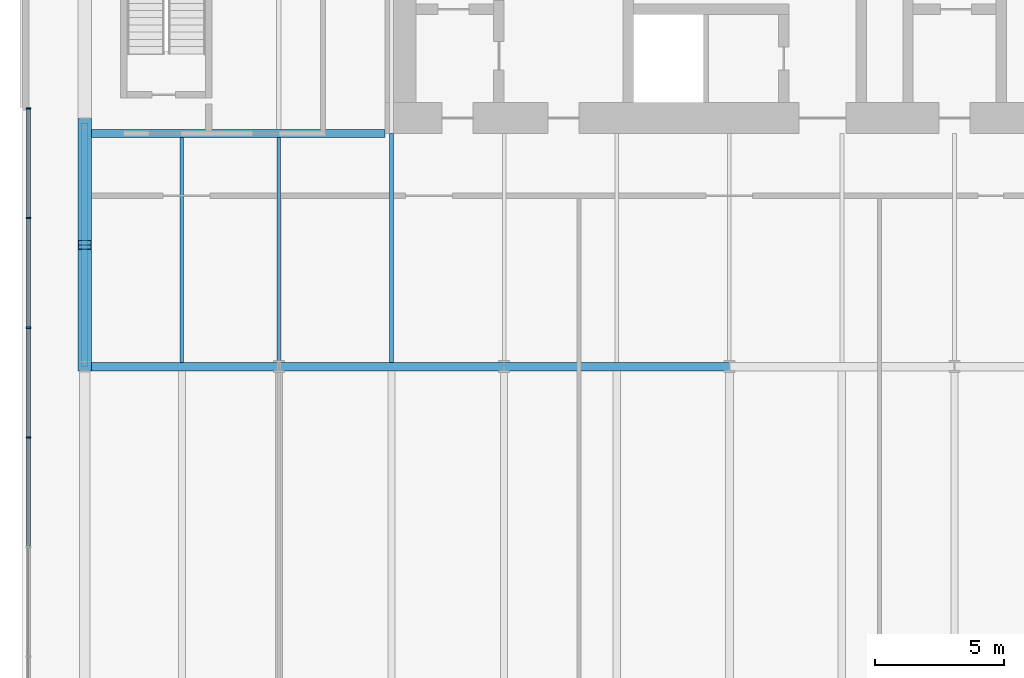
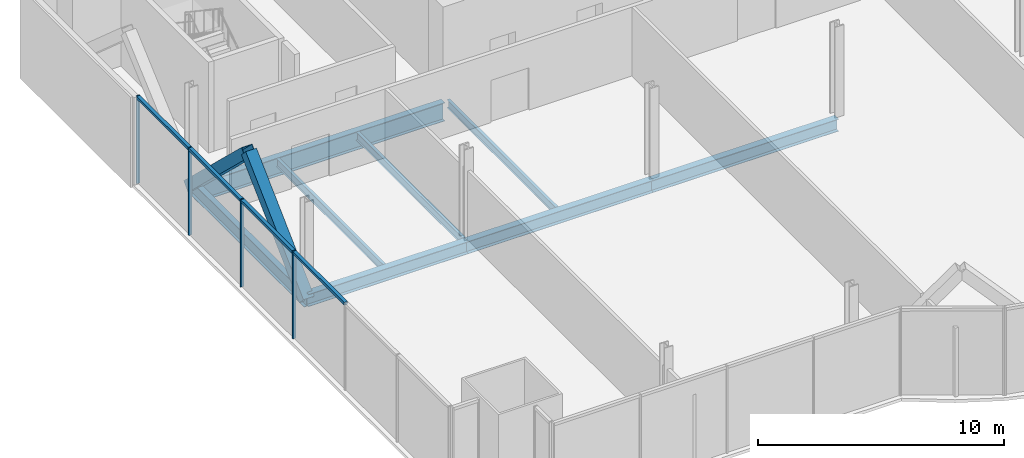
# One storey, part 6 of 21: 10 members, 8 beams, 1 element without a shape of its own.
"""IFC4 building model written with IfcOpenShell, lengths in metres."""

from ifc_helpers import new_model, si_unit, direction, frame, origin, origin_2d, place, context, subcontext, project, spatial, rectangle, hollow_rectangle, i_section, extrude, material, material_profile, profile_set, type_object, element, aggregate, save


model = new_model("IFC4")

# Units and contexts
model_context = context("Model", 3, precision=1e-05, world=origin(), true_north=direction((0.0, 1.0)))
body_context = subcontext(model_context, "Body", "Model", "MODEL_VIEW")
ifc_project = project(units=[si_unit("LENGTHUNIT", "METRE"), si_unit("AREAUNIT", "SQUARE_METRE"), si_unit("VOLUMEUNIT", "CUBIC_METRE"), si_unit("PLANEANGLEUNIT", "RADIAN"), si_unit("MASSUNIT", "GRAM", prefix="KILO")], contexts=[model_context])

# Site, building, storey
site_placement = place(None, origin())
site = spatial("IfcSite", under=ifc_project, at=site_placement, CompositionType="ELEMENT")
building_placement = place(site_placement, origin())
building = spatial("IfcBuilding", under=site, at=building_placement, Name="Bicima Exchange Tower", CompositionType="ELEMENT")
storey_placement = place(building_placement, frame((0.0, 0.0, 57.5)))
storey = spatial("IfcBuildingStorey", under=building, at=storey_placement, Name="L11", CompositionType="ELEMENT", Elevation=57.5)

# Beam
ifc_material_1 = material(Name="Steel ASTM A992 Gr 50", Category="steel")
ifc_material_profile_1 = material_profile(ifc_material_1, i_section(OverallWidth=0.3046875, OverallDepth=0.911865234375, WebThickness=0.015869140625, FlangeThickness=0.02392578125, at=origin_2d()))
ifc_profile_set_1 = profile_set([ifc_material_profile_1], Name="Steel ASTM A992 Gr 50")
beam_type_1 = type_object("IfcBeamType", Name="Core-line girder W36x150", PredefinedType="BEAM", material=ifc_profile_set_1)
beam_1_placement = place(storey_placement, frame((-22.0, -13.0, -0.60595703125), z_axis=(-1.0, 0.0, 0.0), x_axis=(0.0, -1.0, 0.0)))
element("IfcBeam", 1, at=beam_1_placement, inside=storey, type_object=beam_type_1, Name="Core-line girder", PredefinedType="BEAM", context=body_context, shape_type="SweptSolid", body=[
    extrude(i_section(OverallWidth=0.3046875, OverallDepth=0.911865234375, WebThickness=0.015869140625, FlangeThickness=0.02392578125, at=origin_2d()), origin(), (0.0, 0.0, 1.0), 11.60009765625),
])

# Curtain wall, members
ifc_material_2 = material(Name="Anodised bronze aluminium", Category="aluminium")
curtain_wall_type = type_object("IfcCurtainWallType", Name="End face glass wall", PredefinedType="NOTDEFINED", material=ifc_material_2)
curtain_wall_placement = place(storey_placement, origin())
curtain_wall = element("IfcCurtainWall", 2, at=curtain_wall_placement, inside=storey, type_object=curtain_wall_type, Name="End face glass wall L11 run 2", PredefinedType="NOTDEFINED")
ifc_material_profile_2 = material_profile(ifc_material_2, rectangle(XDim=0.159912109375, YDim=0.06005859375, at=origin_2d()))
ifc_profile_set_2 = profile_set([ifc_material_profile_2], Name="Anodised bronze aluminium")
member_type_1 = type_object("IfcMemberType", Name="End face glass wall mullion 60 x 160", PredefinedType="MULLION", material=ifc_profile_set_2)
member_1_placement = place(storey_placement, frame((-35.77001953125, -12.030029296875, 0.0), z_axis=(0.0, 0.0, 1.0), x_axis=(1.0, 0.0, 0.0)))
member_1 = element("IfcMember", 3, at=member_1_placement, type_object=member_type_1, Name="End face glass wall mullion 1", PredefinedType="MULLION", context=body_context, shape_type="SweptSolid", body=[
    extrude(rectangle(XDim=0.159912109375, YDim=0.06005859375, at=origin_2d()), origin(), (0.0, 0.0, 1.0), 4.35009765625),
])
member_2_placement = place(storey_placement, frame((-35.77001953125, -16.264892578125, 0.0), z_axis=(0.0, 0.0, 1.0), x_axis=(1.0, 0.0, 0.0)))
member_2 = element("IfcMember", 4, at=member_2_placement, type_object=member_type_1, Name="End face glass wall mullion 2", PredefinedType="MULLION", context=body_context, shape_type="SweptSolid", body=[
    extrude(rectangle(XDim=0.159912109375, YDim=0.06005859375, at=origin_2d()), origin(), (0.0, 0.0, 1.0), 4.35009765625),
])
member_3_placement = place(storey_placement, frame((-35.77001953125, -20.5, 0.0), z_axis=(0.0, 0.0, 1.0), x_axis=(1.0, 0.0, 0.0)))
member_3 = element("IfcMember", 5, at=member_3_placement, type_object=member_type_1, Name="End face glass wall mullion 3", PredefinedType="MULLION", context=body_context, shape_type="SweptSolid", body=[
    extrude(rectangle(XDim=0.159912109375, YDim=0.06005859375, at=origin_2d()), origin(), (0.0, 0.0, 1.0), 4.35009765625),
])
member_4_placement = place(storey_placement, frame((-35.77001953125, -24.735107421875, 0.0), z_axis=(0.0, 0.0, 1.0), x_axis=(1.0, 0.0, 0.0)))
member_4 = element("IfcMember", 6, at=member_4_placement, type_object=member_type_1, Name="End face glass wall mullion 4", PredefinedType="MULLION", context=body_context, shape_type="SweptSolid", body=[
    extrude(rectangle(XDim=0.159912109375, YDim=0.06005859375, at=origin_2d()), origin(), (0.0, 0.0, 1.0), 4.35009765625),
])
ifc_material_profile_3 = material_profile(ifc_material_2, rectangle(XDim=0.159912109375, YDim=0.139892578125, at=origin_2d()))
ifc_profile_set_3 = profile_set([ifc_material_profile_3], Name="Anodised bronze aluminium")
member_type_2 = type_object("IfcMemberType", Name="End face glass wall transom 140 x 160", PredefinedType="USERDEFINED", material=ifc_profile_set_3)
member_5_placement = place(storey_placement, frame((-35.77001953125, -12.06005859375, 4.280029296875), z_axis=(0.0, -1.0, 0.0), x_axis=(1.0, 0.0, 0.0)))
member_5 = element("IfcMember", 7, at=member_5_placement, type_object=member_type_2, Name="End face glass wall transom 1.1", ObjectType="TRANSOM", PredefinedType="USERDEFINED", context=body_context, shape_type="SweptSolid", body=[
    extrude(rectangle(XDim=0.159912109375, YDim=0.139892578125, at=origin_2d()), origin(), (0.0, 0.0, 1.0), 4.175048828125),
])
member_6_placement = place(storey_placement, frame((-35.77001953125, -16.294921875, 4.280029296875), z_axis=(0.0, -1.0, 0.0), x_axis=(1.0, 0.0, 0.0)))
member_6 = element("IfcMember", 8, at=member_6_placement, type_object=member_type_2, Name="End face glass wall transom 2.1", ObjectType="TRANSOM", PredefinedType="USERDEFINED", context=body_context, shape_type="SweptSolid", body=[
    extrude(rectangle(XDim=0.159912109375, YDim=0.139892578125, at=origin_2d()), origin(), (0.0, 0.0, 1.0), 4.175048828125),
])
member_7_placement = place(storey_placement, frame((-35.77001953125, -20.530029296875, 4.280029296875), z_axis=(0.0, -1.0, 0.0), x_axis=(1.0, 0.0, 0.0)))
member_7 = element("IfcMember", 9, at=member_7_placement, type_object=member_type_2, Name="End face glass wall transom 3.1", ObjectType="TRANSOM", PredefinedType="USERDEFINED", context=body_context, shape_type="SweptSolid", body=[
    extrude(rectangle(XDim=0.159912109375, YDim=0.139892578125, at=origin_2d()), origin(), (0.0, 0.0, 1.0), 4.175048828125),
])
member_8_placement = place(storey_placement, frame((-35.77001953125, -24.764892578125, 4.280029296875), z_axis=(0.0, -1.0, 0.0), x_axis=(1.0, 0.0, 0.0)))
member_8 = element("IfcMember", 10, at=member_8_placement, type_object=member_type_2, Name="End face glass wall transom 4.1", ObjectType="TRANSOM", PredefinedType="USERDEFINED", context=body_context, shape_type="SweptSolid", body=[
    extrude(rectangle(XDim=0.159912109375, YDim=0.139892578125, at=origin_2d()), origin(), (0.0, 0.0, 1.0), 4.175048828125),
])
aggregate(curtain_wall, [member_1, member_2, member_3, member_4, member_5, member_6, member_7, member_8])

# Beams
ifc_material_profile_4 = material_profile(ifc_material_1, i_section(OverallWidth=0.256591796875, OverallDepth=0.693359375, WebThickness=0.014404296875, FlangeThickness=0.023681640625, at=origin_2d()))
ifc_profile_set_4 = profile_set([ifc_material_profile_4], Name="Steel ASTM A992 Gr 50")
beam_type_2 = type_object("IfcBeamType", Name="End girder W27x114", PredefinedType="BEAM", material=ifc_profile_set_4)
beam_2_placement = place(storey_placement, frame((-33.60009765625, -12.60009765625, -0.49658203125), z_axis=(0.0, -1.0, 0.0), x_axis=(1.0, 0.0, 0.0)))
element("IfcBeam", 11, at=beam_2_placement, inside=storey, type_object=beam_type_2, Name="End girder", PredefinedType="BEAM", context=body_context, shape_type="SweptSolid", body=[
    extrude(i_section(OverallWidth=0.256591796875, OverallDepth=0.693359375, WebThickness=0.014404296875, FlangeThickness=0.023681640625, at=origin_2d()), origin(), (0.0, 0.0, 1.0), 9.39990234375),
])
ifc_material_profile_5 = material_profile(ifc_material_1, i_section(OverallWidth=0.140380859375, OverallDepth=0.40380859375, WebThickness=0.007080078125, FlangeThickness=0.01123046875, at=origin_2d()))
ifc_profile_set_5 = profile_set([ifc_material_profile_5], Name="Steel ASTM A992 Gr 50")
beam_type_3 = type_object("IfcBeamType", Name="Floor beam W16x31", PredefinedType="JOIST", material=ifc_profile_set_5)
for number, where, z_axis, x_axis, name in (
    (12, (-29.85009765625, -13.15234375, -0.351806640625), (0.0, -1.0, 0.0), (1.0, 0.0, 0.0), "Floor beam"),
    (13, (-26.10009765625, -13.15234375, -0.351806640625), (0.0, -1.0, 0.0), (1.0, 0.0, 0.0), "Floor beam"),
):
    element("IfcBeam", number, at=place(storey_placement, frame(where, z_axis=z_axis, x_axis=x_axis)), inside=storey, type_object=beam_type_3, Name=name, PredefinedType="JOIST", context=body_context, shape_type="SweptSolid", body=[
        extrude(i_section(OverallWidth=0.140380859375, OverallDepth=0.40380859375, WebThickness=0.007080078125, FlangeThickness=0.01123046875, at=origin_2d()), origin(), (0.0, 0.0, 1.0), 8.68505859375),
    ])
beam_3_placement = place(storey_placement, frame((-21.75, -13.0, -0.351806640625), z_axis=(0.0, -1.0, 0.0), x_axis=(1.0, 0.0, 0.0)))
element("IfcBeam", 14, at=beam_3_placement, inside=storey, type_object=beam_type_3, Name="Floor beam", PredefinedType="JOIST", context=body_context, shape_type="SweptSolid", body=[
    extrude(i_section(OverallWidth=0.140380859375, OverallDepth=0.40380859375, WebThickness=0.007080078125, FlangeThickness=0.01123046875, at=origin_2d()), origin(), (0.0, 0.0, 1.0), 8.83740234375),
])

# Members
ifc_material_3 = material(Name="Steel ASTM A572 Gr 50", Category="steel")
ifc_material_profile_6 = material_profile(ifc_material_3, hollow_rectangle(XDim=0.508056640625, YDim=0.508056640625, WallThickness=0.017822265625, at=origin_2d()))
ifc_profile_set_6 = profile_set([ifc_material_profile_6], Name="Steel ASTM A572 Gr 50")
member_type_3 = type_object("IfcMemberType", Name="Mega brace HSS20x20x3/4", PredefinedType="BRACE", material=ifc_profile_set_6)
for number, where, z_axis, x_axis, name in (
    (15, (-33.60009765625, -12.60009765625, -0.49658203125), (0.0, -0.722304421208, 0.691575247608), (1.0, 0.0, 0.0), "Mega brace west end"),
    (16, (-33.60009765625, -22.0, -0.49658203125), (0.0, 0.722304421208, 0.691575247608), (-1.0, 0.0, 0.0), "Mega brace west end"),
):
    element("IfcMember", number, at=place(storey_placement, frame(where, z_axis=z_axis, x_axis=x_axis)), inside=storey, type_object=member_type_3, Name=name, PredefinedType="BRACE", context=body_context, shape_type="SweptSolid", body=[
        extrude(hollow_rectangle(XDim=0.508056640625, YDim=0.508056640625, WallThickness=0.017822265625, at=origin_2d()), origin(), (0.0, 0.0, 1.0), 6.5068359375),
    ])

# Beams
ifc_material_profile_7 = material_profile(ifc_material_1, i_section(OverallWidth=0.3251953125, OverallDepth=0.612060546875, WebThickness=0.0126953125, FlangeThickness=0.01904296875, at=origin_2d()))
ifc_profile_set_7 = profile_set([ifc_material_profile_7], Name="Steel ASTM A992 Gr 50")
beam_type_4 = type_object("IfcBeamType", Name="Row girder W24x104", PredefinedType="BEAM", material=ifc_profile_set_7)
beam_4_placement = place(storey_placement, frame((-33.60009765625, -22.0, -0.4560546875), z_axis=(1.0, 0.0, 0.0), x_axis=(0.0, 1.0, 0.0)))
element("IfcBeam", 17, at=beam_4_placement, inside=storey, type_object=beam_type_4, Name="Row girder", PredefinedType="BEAM", context=body_context, shape_type="SweptSolid", body=[
    extrude(i_section(OverallWidth=0.3251953125, OverallDepth=0.612060546875, WebThickness=0.0126953125, FlangeThickness=0.01904296875, at=origin_2d()), origin(), (0.0, 0.0, 1.0), 7.5),
])
beam_5_placement = place(storey_placement, frame((-26.10009765625, -22.0, -0.4560546875), z_axis=(1.0, 0.0, 0.0), x_axis=(0.0, 1.0, 0.0)))
element("IfcBeam", 18, at=beam_5_placement, inside=storey, type_object=beam_type_4, Name="Row girder", PredefinedType="BEAM", context=body_context, shape_type="SweptSolid", body=[
    extrude(i_section(OverallWidth=0.3251953125, OverallDepth=0.612060546875, WebThickness=0.0126953125, FlangeThickness=0.01904296875, at=origin_2d()), origin(), (0.0, 0.0, 1.0), 8.7001953125),
])
beam_6_placement = place(storey_placement, frame((-17.39990234375, -22.0, -0.4560546875), z_axis=(1.0, 0.0, 0.0), x_axis=(0.0, 1.0, 0.0)))
element("IfcBeam", 19, at=beam_6_placement, inside=storey, type_object=beam_type_4, Name="Row girder", PredefinedType="BEAM", context=body_context, shape_type="SweptSolid", body=[
    extrude(i_section(OverallWidth=0.3251953125, OverallDepth=0.612060546875, WebThickness=0.0126953125, FlangeThickness=0.01904296875, at=origin_2d()), origin(), (0.0, 0.0, 1.0), 8.699951171875),
])

save(model, "model.ifc")
